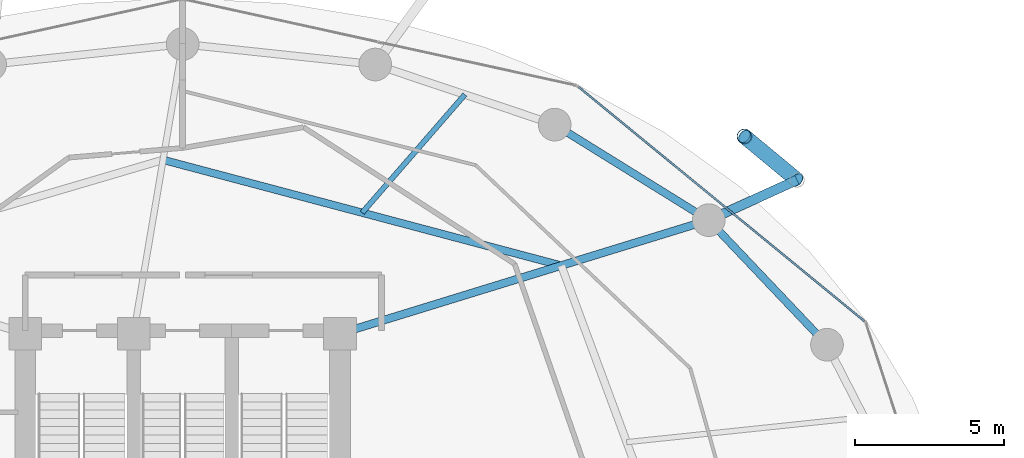
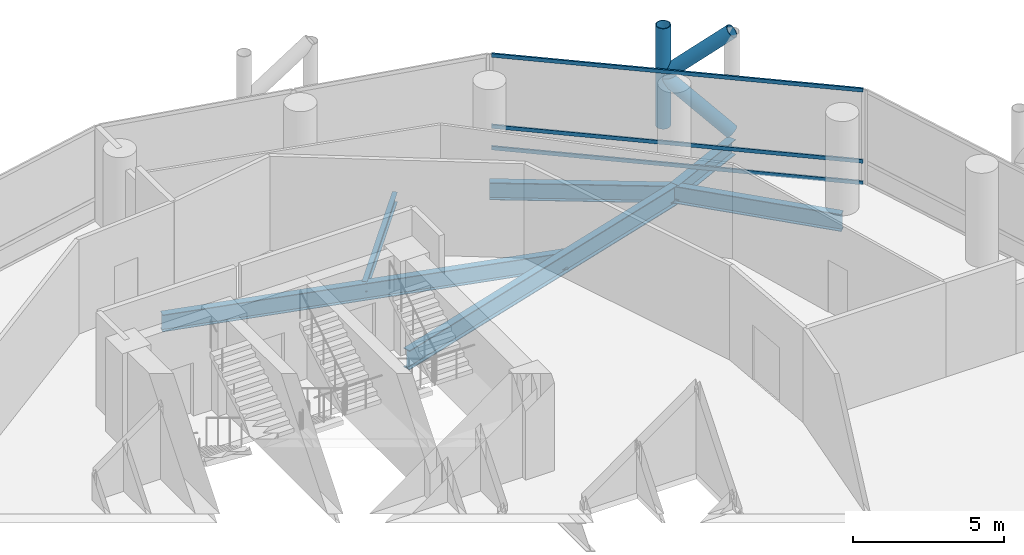
# One storey, part 17 of 24: 6 beams, 6 members, 1 element without a shape of its own.
"""IFC4 building model written with IfcOpenShell, lengths in metres."""

from ifc_helpers import new_model, si_unit, direction, frame, origin, origin_2d, place, context, subcontext, project, spatial, hollow_rectangle, hollow_circle, i_section, extrude, material, layer, layer_set, material_profile, profile_set, type_object, element, aggregate, save


model = new_model("IFC4")

# Units and contexts
model_context = context("Model", 3, precision=1e-05, world=origin(), true_north=direction((0.0, 1.0)))
body_context = subcontext(model_context, "Body", "Model", "MODEL_VIEW")
ifc_project = project(units=[si_unit("LENGTHUNIT", "METRE"), si_unit("AREAUNIT", "SQUARE_METRE"), si_unit("VOLUMEUNIT", "CUBIC_METRE"), si_unit("PLANEANGLEUNIT", "RADIAN"), si_unit("MASSUNIT", "GRAM", prefix="KILO")], contexts=[model_context])

# Site, building, storey
site_placement = place(None, origin())
site = spatial("IfcSite", under=ifc_project, at=site_placement, CompositionType="ELEMENT")
building_placement = place(site_placement, origin())
building = spatial("IfcBuilding", under=site, at=building_placement, Name="Nuhasar Tower", CompositionType="ELEMENT")
storey_placement = place(building_placement, frame((0.0, 0.0, 77.699951171875)))
storey = spatial("IfcBuildingStorey", under=building, at=storey_placement, Name="L18", CompositionType="ELEMENT", Elevation=77.699951171875)

# Beams
ifc_material_1 = material(Name="Steel S355", Category="steel")
ifc_material_profile_1 = material_profile(ifc_material_1, i_section(OverallWidth=0.25390625, OverallDepth=0.68408203125, WebThickness=0.012451171875, FlangeThickness=0.018798828125, at=origin_2d()), Name="W27X94")
ifc_profile_set_1 = profile_set([ifc_material_profile_1], Name="Steel S355")
beam_type_1 = type_object("IfcBeamType", Name="BM-INRING-W27X94", PredefinedType="BEAM", material=ifc_profile_set_1)
beam_1_placement = place(storey_placement, frame((51.748046875, 39.591064453125, -0.592041015625), z_axis=(-0.96653253005, 0.256544086574, 0.0), x_axis=(-0.256544086574, -0.96653253005, 0.0)))
element("IfcBeam", 1, at=beam_1_placement, inside=storey, type_object=beam_type_1, Name="L18 Inner Header Beam 05", PredefinedType="BEAM", context=body_context, shape_type="SweptSolid", body=[
    extrude(i_section(OverallWidth=0.25390625, OverallDepth=0.68408203125, WebThickness=0.012451171875, FlangeThickness=0.018798828125, at=origin_2d()), origin(), (0.0, 0.0, 1.0), 13.872314453125),
])
ifc_material_profile_2 = material_profile(ifc_material_1, i_section(OverallWidth=0.177978515625, OverallDepth=0.406005859375, WebThickness=0.0078125, FlangeThickness=0.0126953125, at=origin_2d()), Name="W16X40")
ifc_profile_set_2 = profile_set([ifc_material_profile_2], Name="Steel S355")
beam_type_2 = type_object("IfcBeamType", Name="BM-JST-W16X40", PredefinedType="JOIST", material=ifc_profile_set_2)
beam_2_placement = place(storey_placement, frame((45.0439453125, 41.3701171875, -0.452880859375), z_axis=(0.656174129694, 0.754609509296, 0.0), x_axis=(-0.754609509296, 0.656174129694, 0.0)))
element("IfcBeam", 2, at=beam_2_placement, inside=storey, type_object=beam_type_2, Name="L18 Secondary Floor Joist 05", PredefinedType="JOIST", context=body_context, shape_type="SweptSolid", body=[
    extrude(i_section(OverallWidth=0.177978515625, OverallDepth=0.406005859375, WebThickness=0.0078125, FlangeThickness=0.0126953125, at=origin_2d()), origin(), (0.0, 0.0, 1.0), 5.27294921875),
])
ifc_material_profile_3 = material_profile(ifc_material_1, i_section(OverallWidth=0.26611328125, OverallDepth=0.779052734375, WebThickness=0.0166015625, FlangeThickness=0.030029296875, at=origin_2d()), Name="W30X148")
ifc_profile_set_3 = profile_set([ifc_material_profile_3], Name="Steel S355")
beam_type_3 = type_object("IfcBeamType", Name="BM-RAD-W30X148", PredefinedType="BEAM", material=ifc_profile_set_3)
beam_3_placement = place(storey_placement, frame((44.300048828125, 37.300048828125, -0.638916015625), z_axis=(0.955789576103, 0.294051502653, 0.0), x_axis=(-0.294051502653, 0.955789576103, 0.0)))
element("IfcBeam", 3, at=beam_3_placement, inside=storey, type_object=beam_type_3, Name="L18 Radial Floor Girder 05", PredefinedType="BEAM", context=body_context, shape_type="SweptSolid", body=[
    extrude(i_section(OverallWidth=0.26611328125, OverallDepth=0.779052734375, WebThickness=0.0166015625, FlangeThickness=0.030029296875, at=origin_2d()), origin(), (0.0, 0.0, 1.0), 12.987060546875),
])
ifc_material_profile_4 = material_profile(ifc_material_1, i_section(OverallWidth=0.256103515625, OverallDepth=0.693115234375, WebThickness=0.014404296875, FlangeThickness=0.023681640625, at=origin_2d()), Name="W27X114")
ifc_profile_set_4 = profile_set([ifc_material_profile_4], Name="Steel S355")
beam_type_4 = type_object("IfcBeamType", Name="BM-RING-W27X114", PredefinedType="SPANDREL", material=ifc_profile_set_4)
beam_4_placement = place(storey_placement, frame((60.694091796875, 36.925048828125, -0.596923828125), z_axis=(-0.688480893507, 0.725254478976, 0.0), x_axis=(-0.725254478976, -0.688480893507, 0.0)))
element("IfcBeam", 4, at=beam_4_placement, inside=storey, type_object=beam_type_4, Name="L18 Perimeter Ring Spandrel 03", PredefinedType="SPANDREL", context=body_context, shape_type="SweptSolid", body=[
    extrude(i_section(OverallWidth=0.256103515625, OverallDepth=0.693115234375, WebThickness=0.014404296875, FlangeThickness=0.023681640625, at=origin_2d()), origin(), (0.0, 0.0, 1.0), 5.782470703125),
])
beam_5_placement = place(storey_placement, frame((56.712890625, 41.118896484375, -0.596923828125), z_axis=(-0.849795216549, 0.527112976439, 0.0), x_axis=(-0.527112976439, -0.849795216549, 0.0)))
element("IfcBeam", 5, at=beam_5_placement, inside=storey, type_object=beam_type_4, Name="L18 Perimeter Ring Spandrel 04", PredefinedType="SPANDREL", context=body_context, shape_type="SweptSolid", body=[
    extrude(i_section(OverallWidth=0.256103515625, OverallDepth=0.693115234375, WebThickness=0.014404296875, FlangeThickness=0.023681640625, at=origin_2d()), origin(), (0.0, 0.0, 1.0), 6.10498046875),
])
ifc_material_profile_5 = material_profile(ifc_material_1, i_section(OverallWidth=0.323974609375, OverallDepth=0.611083984375, WebThickness=0.0126953125, FlangeThickness=0.01904296875, at=origin_2d()), Name="W24X104")
ifc_profile_set_5 = profile_set([ifc_material_profile_5], Name="Steel S355")
beam_type_5 = type_object("IfcBeamType", Name="BM-TIE-W24X104", PredefinedType="BEAM", material=ifc_profile_set_5)
beam_6_placement = place(storey_placement, frame((56.712890625, 41.118896484375, -0.554931640625), z_axis=(0.910243528587, 0.414073325227, 0.0), x_axis=(-0.414073325227, 0.910243528587, 0.0)))
element("IfcBeam", 6, at=beam_6_placement, inside=storey, type_object=beam_type_5, Name="L18 Exoskeleton Node Tie Beam 02", PredefinedType="BEAM", context=body_context, shape_type="SweptSolid", body=[
    extrude(i_section(OverallWidth=0.323974609375, OverallDepth=0.611083984375, WebThickness=0.0126953125, FlangeThickness=0.01904296875, at=origin_2d()), origin(), (0.0, 0.0, 1.0), 3.26513671875),
])

# Curtain wall, members
ifc_material_2 = material(Name="Aluminium 6063-T6", Category="aluminium")
ifc_layer = layer(ifc_material_2, 0.199951171875)
ifc_layer_set = layer_set([ifc_layer], Name="Aluminium 6063-T6")
curtain_wall_type = type_object("IfcCurtainWallType", Name="CW-Z1-OFF", PredefinedType="NOTDEFINED", material=ifc_layer_set)
curtain_wall_placement = place(storey_placement, origin())
curtain_wall = element("IfcCurtainWall", 7, at=curtain_wall_placement, inside=storey, type_object=curtain_wall_type, Name="L18 Unitised Curtain Wall 02", PredefinedType="NOTDEFINED")
ifc_material_profile_6 = material_profile(ifc_material_2, hollow_rectangle(XDim=0.06494140625, YDim=0.14990234375, WallThickness=0.00439453125, at=origin_2d()), Name="CWT-2")
ifc_profile_set_6 = profile_set([ifc_material_profile_6], Name="Aluminium 6063-T6")
member_type_1 = type_object("IfcMemberType", Name="CW-TRN-S2", PredefinedType="USERDEFINED", material=ifc_profile_set_6)
member_1_placement = place(storey_placement, frame((61.95166015625, 37.72119140625, 0.032470703125), z_axis=(-0.773540851599, 0.633746440548, 0.0), x_axis=(-0.633746440548, -0.773540851599, 0.0)))
member_1 = element("IfcMember", 8, at=member_1_placement, type_object=member_type_1, Name="CW-Z1 transom 1.1", ObjectType="TRANSOM", PredefinedType="USERDEFINED", context=body_context, shape_type="SweptSolid", body=[
    extrude(hollow_rectangle(XDim=0.06494140625, YDim=0.14990234375, WallThickness=0.00439453125, at=origin_2d()), origin(), (0.0, 0.0, 1.0), 12.43798828125),
])
member_2_placement = place(storey_placement, frame((61.95166015625, 37.72119140625, 0.900146484375), z_axis=(-0.773540851599, 0.633746440548, 0.0), x_axis=(-0.633746440548, -0.773540851599, 0.0)))
member_2 = element("IfcMember", 9, at=member_2_placement, type_object=member_type_1, Name="CW-Z1 transom 1.2", ObjectType="TRANSOM", PredefinedType="USERDEFINED", context=body_context, shape_type="SweptSolid", body=[
    extrude(hollow_rectangle(XDim=0.06494140625, YDim=0.14990234375, WallThickness=0.00439453125, at=origin_2d()), origin(), (0.0, 0.0, 1.0), 12.43798828125),
])
member_3_placement = place(storey_placement, frame((61.95166015625, 37.72119140625, 3.767578125), z_axis=(-0.773540851599, 0.633746440548, 0.0), x_axis=(-0.633746440548, -0.773540851599, 0.0)))
member_3 = element("IfcMember", 10, at=member_3_placement, type_object=member_type_1, Name="CW-Z1 transom 1.3", ObjectType="TRANSOM", PredefinedType="USERDEFINED", context=body_context, shape_type="SweptSolid", body=[
    extrude(hollow_rectangle(XDim=0.06494140625, YDim=0.14990234375, WallThickness=0.00439453125, at=origin_2d()), origin(), (0.0, 0.0, 1.0), 12.43798828125),
])
aggregate(curtain_wall, [member_1, member_2, member_3])

# Members
ifc_material_3 = material(Name="Steel S460", Category="steel")
ifc_material_profile_7 = material_profile(ifc_material_3, hollow_circle(Radius=0.25390625, WallThickness=0.025390625, at=origin_2d()), Name="HSS508X25.4")
ifc_profile_set_7 = profile_set([ifc_material_profile_7], Name="Steel S460")
member_type_2 = type_object("IfcMemberType", Name="EXO-BRONZE-508", PredefinedType="BRACE", material=ifc_profile_set_7)
member_4_placement = place(storey_placement, frame((57.9130859375, 43.93896484375, 0.0), z_axis=(0.0, 0.0, 1.0), x_axis=(1.0, 0.0, 0.0)))
element("IfcMember", 11, at=member_4_placement, inside=storey, type_object=member_type_2, Name="L18 Exoskeleton Chord Column EC-02B", PredefinedType="BRACE", context=body_context, shape_type="SweptSolid", body=[
    extrude(hollow_circle(Radius=0.25390625, WallThickness=0.025390625, at=origin_2d()), origin(), (0.0, 0.0, 1.0), 4.050048828125),
])
member_5_placement = place(storey_placement, frame((59.68505859375, 42.470947265625, 0.0), z_axis=(-0.578071194894, 0.478911834514, 0.660664172175), x_axis=(-0.637969333506, -0.770061769929, 0.0)))
element("IfcMember", 12, at=member_5_placement, inside=storey, type_object=member_type_2, Name="L18 Bronze Diagrid Brace W1-02", PredefinedType="BRACE", context=body_context, shape_type="SweptSolid", body=[
    extrude(hollow_circle(Radius=0.25390625, WallThickness=0.025390625, at=origin_2d()), origin(), (0.0, 0.0, 1.0), 3.0654296875),
])
member_6_placement = place(storey_placement, frame((57.9130859375, 43.93896484375, 2.025146484375), z_axis=(0.578101613167, -0.478937034992, 0.660619286251), x_axis=(0.637969333506, 0.770061769929, 0.0)))
element("IfcMember", 13, at=member_6_placement, inside=storey, type_object=member_type_2, Name="L18 Bronze Diagrid Brace W2-02", PredefinedType="BRACE", context=body_context, shape_type="SweptSolid", body=[
    extrude(hollow_circle(Radius=0.25390625, WallThickness=0.025390625, at=origin_2d()), origin(), (0.0, 0.0, 1.0), 3.065185546875),
])

save(model, "model.ifc")
